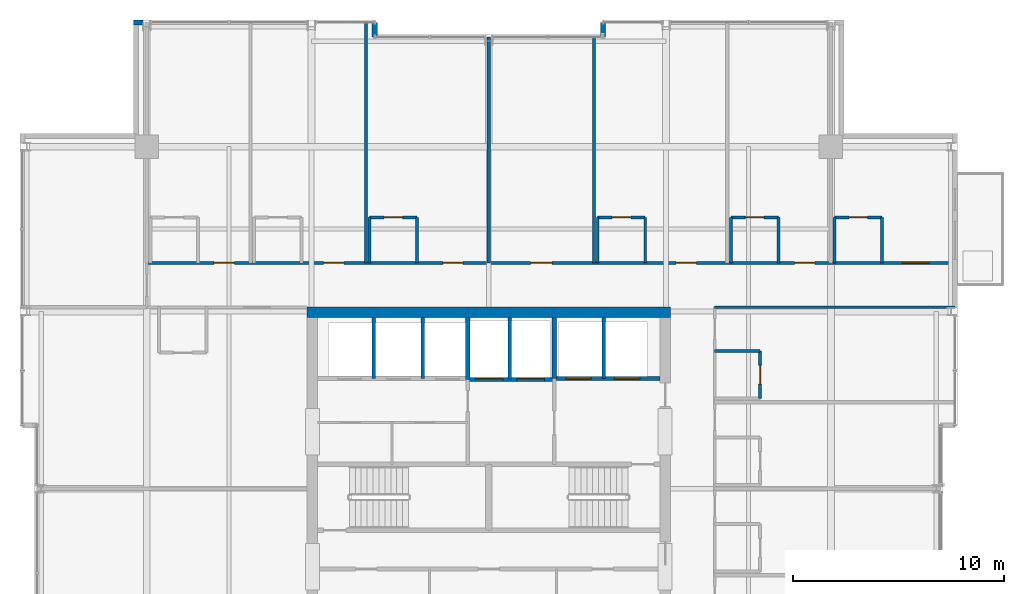
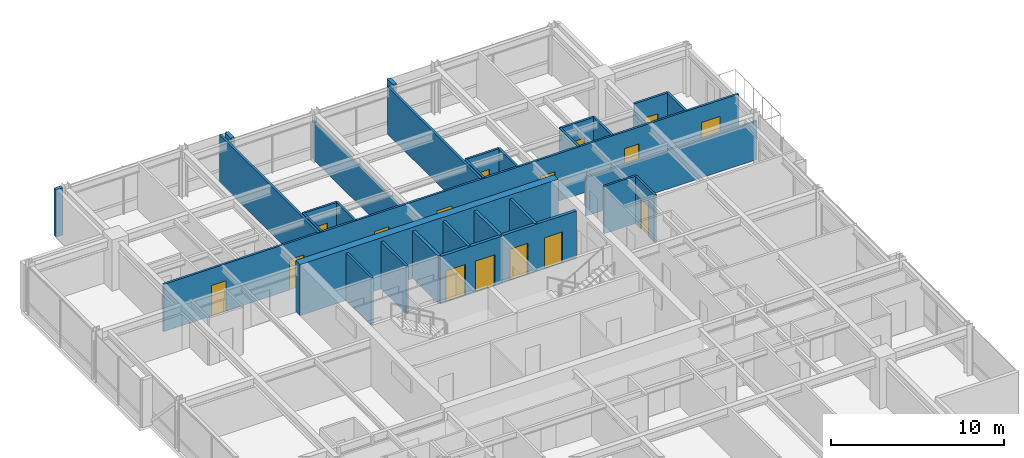
# One storey, part 29 of 33: 31 walls, 16 doors, 16 openings.
"""IFC4 building model written with IfcOpenShell, lengths in metres."""

from ifc_helpers import new_model, si_unit, direction, frame, frame_2d, origin, place, context, subcontext, project, spatial, rectangle, extrude, material, layer, layer_set, type_object, element, fill, save


model = new_model("IFC4")

# Units and contexts
model_context = context("Model", 3, precision=1e-05, world=origin(), true_north=direction((0.0, 1.0)))
body_context = subcontext(model_context, "Body", "Model", "MODEL_VIEW")
ifc_project = project(units=[si_unit("LENGTHUNIT", "METRE"), si_unit("AREAUNIT", "SQUARE_METRE"), si_unit("VOLUMEUNIT", "CUBIC_METRE"), si_unit("PLANEANGLEUNIT", "RADIAN"), si_unit("MASSUNIT", "GRAM", prefix="KILO")], contexts=[model_context])

# Site, building, storey
site_placement = place(None, origin())
site = spatial("IfcSite", under=ifc_project, at=site_placement, CompositionType="ELEMENT")
building_placement = place(site_placement, origin())
building = spatial("IfcBuilding", under=site, at=building_placement, Name="Drelvath Grand Hotel", CompositionType="ELEMENT")
storey_placement = place(building_placement, frame((0.0, 0.0, 212.300048828125)))
storey = spatial("IfcBuildingStorey", under=building, at=storey_placement, Name="L55", CompositionType="ELEMENT", Elevation=212.300048828125)

# Wall, openings, doors
ifc_material_1 = material(Name="Concrete C40/50", Category="concrete")
ifc_layer_1 = layer(ifc_material_1, 0.199951171875)
ifc_layer_set_1 = layer_set([ifc_layer_1], Name="Concrete C40/50")
wall_type_1 = type_object("IfcWallType", Name="Core Hoistway Fire Wall 200", PredefinedType="SOLIDWALL", material=ifc_layer_set_1)
wall_1_placement = place(storey_placement, frame((3.10009765625, 32.219970703125, 0.0), z_axis=(0.0, 0.0, 1.0), x_axis=(1.0, 0.0, 0.0)))
wall_1 = element("IfcWall", 1, at=wall_1_placement, inside=storey, type_object=wall_type_1, Name="L55 FSAE Hoistway Front Wall", PredefinedType="SOLIDWALL", context=body_context, shape_type="SweptSolid", body=[
    extrude(rectangle(XDim=5.0, YDim=0.199951171875, at=frame_2d((2.5, 0.0))), origin(), (0.0, 0.0, 1.0), 3.33984375),
])
opening_1_placement = place(wall_1_placement, frame((0.550048828125, 0.0, 0.0)))
opening_1 = element("IfcOpeningElement", 2, at=opening_1_placement, cuts=wall_1, Name="Opening LD-FSAE-1", PredefinedType="OPENING", context=body_context, shape_type="SweptSolid", body=[
    extrude(rectangle(XDim=1.199951171875, YDim=2.199951171875, at=frame_2d((0.60009765625, 1.10009765625))), frame((0.0, 0.10986328125, 0.0), z_axis=(0.0, -1.0, 0.0), x_axis=(1.0, 0.0, 0.0)), (0.0, 0.0, 1.0), 0.219970703125),
])
opening_2_placement = place(wall_1_placement, frame((2.85009765625, 0.0, 0.0)))
opening_2 = element("IfcOpeningElement", 3, at=opening_2_placement, cuts=wall_1, Name="Opening LD-FSAE-2", PredefinedType="OPENING", context=body_context, shape_type="SweptSolid", body=[
    extrude(rectangle(XDim=1.199951171875, YDim=2.199951171875, at=frame_2d((0.60009765625, 1.10009765625))), frame((0.0, 0.10986328125, 0.0), z_axis=(0.0, -1.0, 0.0), x_axis=(1.0, 0.0, 0.0)), (0.0, 0.0, 1.0), 0.219970703125),
])
ifc_material_2 = material(Name="Stainless Steel S355", Category="steel")
door_type_1 = type_object("IfcDoorType", Name="FSAE Lift Sliding Landing Door 1200x2200", OperationType="NOTDEFINED", PredefinedType="DOOR", material=ifc_material_2)
door_1_placement = place(opening_1_placement, origin())
door_1 = element("IfcDoor", 4, at=door_1_placement, inside=storey, type_object=door_type_1, Name="L55 Lift FSAE-1 Landing Door", OperationType="SLIDING_TO_LEFT", OverallHeight=2.199951171875, OverallWidth=1.199951171875, PredefinedType="DOOR", context=body_context, shape_type="SweptSolid", body=[
    extrude(rectangle(XDim=1.199951171875, YDim=2.199951171875, at=frame_2d((0.60009765625, 1.10009765625))), frame((0.0, 0.02490234375, 0.0), z_axis=(0.0, -1.0, 0.0), x_axis=(1.0, 0.0, 0.0)), (0.0, 0.0, 1.0), 0.050048828125),
])
fill(opening_1, door_1)
door_2_placement = place(opening_2_placement, origin())
door_2 = element("IfcDoor", 5, at=door_2_placement, inside=storey, type_object=door_type_1, Name="L55 Lift FSAE-2 Landing Door", OperationType="SLIDING_TO_LEFT", OverallHeight=2.199951171875, OverallWidth=1.199951171875, PredefinedType="DOOR", context=body_context, shape_type="SweptSolid", body=[
    extrude(rectangle(XDim=1.199951171875, YDim=2.199951171875, at=frame_2d((0.60009765625, 1.10009765625))), frame((0.0, 0.02490234375, 0.0), z_axis=(0.0, -1.0, 0.0), x_axis=(1.0, 0.0, 0.0)), (0.0, 0.0, 1.0), 0.050048828125),
])
fill(opening_2, door_2)

# Wall
wall_2_placement = place(storey_placement, frame((3.10009765625, 32.219970703125, 0.0), z_axis=(0.0, 0.0, 1.0), x_axis=(0.0, 1.0, 0.0)))
element("IfcWall", 6, at=wall_2_placement, inside=storey, type_object=wall_type_1, Name="L55 FSAE Hoistway West Wall", PredefinedType="SOLIDWALL", context=body_context, shape_type="SweptSolid", body=[
    extrude(rectangle(XDim=2.880126953125, YDim=0.199951171875, at=frame_2d((1.43994140625, 0.0))), origin(), (0.0, 0.0, 1.0), 3.33984375),
])

# Wall, openings, doors
wall_3_placement = place(storey_placement, frame((-1.0, 32.179931640625, 0.0), z_axis=(0.0, 0.0, 1.0), x_axis=(1.0, 0.0, 0.0)))
wall_3 = element("IfcWall", 7, at=wall_3_placement, inside=storey, type_object=wall_type_1, Name="L55 Service Lift Hoistway Wall", PredefinedType="SOLIDWALL", context=body_context, shape_type="SweptSolid", body=[
    extrude(rectangle(XDim=4.10009765625, YDim=0.199951171875, at=frame_2d((2.050048828125, 0.0))), origin(), (0.0, 0.0, 1.0), 3.33984375),
])
opening_3_placement = place(wall_3_placement, frame((0.3701171875, 0.0, 0.0)))
opening_3 = element("IfcOpeningElement", 8, at=opening_3_placement, cuts=wall_3, Name="Opening LD-SV-2", PredefinedType="OPENING", context=body_context, shape_type="SweptSolid", body=[
    extrude(rectangle(XDim=1.300048828125, YDim=2.199951171875, at=frame_2d((0.64990234375, 1.10009765625))), frame((0.0, 0.10986328125, 0.0), z_axis=(0.0, -1.0, 0.0), x_axis=(1.0, 0.0, 0.0)), (0.0, 0.0, 1.0), 0.219970703125),
])
opening_4_placement = place(wall_3_placement, frame((2.330078125, 0.0, 0.0)))
opening_4 = element("IfcOpeningElement", 9, at=opening_4_placement, cuts=wall_3, Name="Opening LD-SV-1", PredefinedType="OPENING", context=body_context, shape_type="SweptSolid", body=[
    extrude(rectangle(XDim=1.300048828125, YDim=2.199951171875, at=frame_2d((0.64990234375, 1.10009765625))), frame((0.0, 0.10986328125, 0.0), z_axis=(0.0, -1.0, 0.0), x_axis=(1.0, 0.0, 0.0)), (0.0, 0.0, 1.0), 0.219970703125),
])
door_type_2 = type_object("IfcDoorType", Name="Service Lift Sliding Landing Door 1300x2200", OperationType="NOTDEFINED", PredefinedType="DOOR", material=ifc_material_2)
door_3_placement = place(opening_3_placement, origin())
door_3 = element("IfcDoor", 10, at=door_3_placement, inside=storey, type_object=door_type_2, Name="L55 Lift SV-2 Landing Door", OperationType="SLIDING_TO_LEFT", OverallHeight=2.199951171875, OverallWidth=1.300048828125, PredefinedType="DOOR", context=body_context, shape_type="SweptSolid", body=[
    extrude(rectangle(XDim=1.300048828125, YDim=2.199951171875, at=frame_2d((0.64990234375, 1.10009765625))), frame((0.0, 0.02490234375, 0.0), z_axis=(0.0, -1.0, 0.0), x_axis=(1.0, 0.0, 0.0)), (0.0, 0.0, 1.0), 0.050048828125),
])
fill(opening_3, door_3)
door_4_placement = place(opening_4_placement, origin())
door_4 = element("IfcDoor", 11, at=door_4_placement, inside=storey, type_object=door_type_2, Name="L55 Lift SV-1 Landing Door", OperationType="SLIDING_TO_LEFT", OverallHeight=2.199951171875, OverallWidth=1.300048828125, PredefinedType="DOOR", context=body_context, shape_type="SweptSolid", body=[
    extrude(rectangle(XDim=1.300048828125, YDim=2.199951171875, at=frame_2d((0.64990234375, 1.10009765625))), frame((0.0, 0.02490234375, 0.0), z_axis=(0.0, -1.0, 0.0), x_axis=(1.0, 0.0, 0.0)), (0.0, 0.0, 1.0), 0.050048828125),
])
fill(opening_4, door_4)

# Walls
wall_4_placement = place(storey_placement, frame((-1.0, 32.179931640625, 0.0), z_axis=(0.0, 0.0, 1.0), x_axis=(0.0, 1.0, 0.0)))
element("IfcWall", 12, at=wall_4_placement, inside=storey, type_object=wall_type_1, Name="L55 Service Lift West Wall", PredefinedType="SOLIDWALL", context=body_context, shape_type="SweptSolid", body=[
    extrude(rectangle(XDim=2.920166015625, YDim=0.199951171875, at=frame_2d((1.4599609375, 0.0))), origin(), (0.0, 0.0, 1.0), 3.33984375),
])
ifc_material_3 = material(Name="Gypsum Fireboard Partition")
ifc_layer_2 = layer(ifc_material_3, 0.1650390625)
ifc_layer_set_2 = layer_set([ifc_layer_2], Name="Gypsum Fireboard Partition")
wall_type_2 = type_object("IfcWallType", Name="Core Shaft Partition 165", PredefinedType="PARTITIONING", material=ifc_layer_set_2)
wall_5_placement = place(storey_placement, frame((5.449951171875, 32.219970703125, 0.0), z_axis=(0.0, 0.0, 1.0), x_axis=(0.0, 1.0, 0.0)))
element("IfcWall", 13, at=wall_5_placement, inside=storey, type_object=wall_type_2, Name="L55 FSAE Hoistway Divider", PredefinedType="PARTITIONING", context=body_context, shape_type="SweptSolid", body=[
    extrude(rectangle(XDim=2.880126953125, YDim=0.1650390625, at=frame_2d((1.43994140625, 0.0))), origin(), (0.0, 0.0, 1.0), 3.33984375),
])
wall_6_placement = place(storey_placement, frame((1.0, 32.179931640625, 0.0), z_axis=(0.0, 0.0, 1.0), x_axis=(0.0, 1.0, 0.0)))
element("IfcWall", 14, at=wall_6_placement, inside=storey, type_object=wall_type_2, Name="L55 Service Lift Divider", PredefinedType="PARTITIONING", context=body_context, shape_type="SweptSolid", body=[
    extrude(rectangle(XDim=2.920166015625, YDim=0.1650390625, at=frame_2d((1.4599609375, 0.0))), origin(), (0.0, 0.0, 1.0), 3.33984375),
])
for number, where, z_axis, x_axis, name in (
    (15, (-5.43994140625, 32.219970703125, 0.0), (0.0, 0.0, 1.0), (0.0, 1.0, 0.0), "L55 Lift PE-7/8 Divider"),
    (16, (-3.1201171875, 32.219970703125, 0.0), (0.0, 0.0, 1.0), (0.0, 1.0, 0.0), "L55 Lift PE-8/9 Divider"),
):
    element("IfcWall", number, at=place(storey_placement, frame(where, z_axis=z_axis, x_axis=x_axis)), inside=storey, type_object=wall_type_2, Name=name, PredefinedType="PARTITIONING", context=body_context, shape_type="SweptSolid", body=[
        extrude(rectangle(XDim=2.880126953125, YDim=0.1650390625, at=frame_2d((1.43994140625, 0.0))), origin(), (0.0, 0.0, 1.0), 3.33984375),
    ])

# Wall, openings, doors
ifc_layer_3 = layer(ifc_material_3, 0.135009765625)
ifc_layer_set_3 = layer_set([ifc_layer_3], Name="Gypsum Fireboard Partition")
wall_type_3 = type_object("IfcWallType", Name="Corridor Fire Barrier Wall 135", PredefinedType="PARTITIONING", material=ifc_layer_set_3)
wall_7_placement = place(storey_placement, frame((-16.199951171875, 37.699951171875, 0.0), z_axis=(0.0, 0.0, 1.0), x_axis=(1.0, 0.0, 0.0)))
wall_7 = element("IfcWall", 17, at=wall_7_placement, inside=storey, type_object=wall_type_3, Name="L55 North Cross-Gallery Wall", PredefinedType="PARTITIONING", context=body_context, shape_type="SweptSolid", body=[
    extrude(rectangle(XDim=38.280029296875, YDim=0.135009765625, at=frame_2d((19.14013671875, 0.0))), origin(), (0.0, 0.0, 1.0), 3.33984375),
])
opening_5_placement = place(wall_7_placement, frame((35.784912109375, 0.0, 0.0)))
opening_5 = element("IfcOpeningElement", 18, at=opening_5_placement, cuts=wall_7, Name="Opening D-T4G1-024", PredefinedType="OPENING", context=body_context, shape_type="SweptSolid", body=[
    extrude(rectangle(XDim=1.260009765625, YDim=2.199951171875, at=frame_2d((0.6298828125, 1.10009765625))), frame((0.0, 0.077392578125, 0.0), z_axis=(0.0, -1.0, 0.0), x_axis=(1.0, 0.0, 0.0)), (0.0, 0.0, 1.0), 0.155029296875),
])
opening_6_placement = place(wall_7_placement, frame((3.189453125, 0.0, 0.0)))
opening_6 = element("IfcOpeningElement", 19, at=opening_6_placement, cuts=wall_7, Name="Opening D-T4G1-037", PredefinedType="OPENING", context=body_context, shape_type="SweptSolid", body=[
    extrude(rectangle(XDim=0.9599609375, YDim=2.14990234375, at=frame_2d((0.47998046875, 1.074951171875))), frame((0.0, 0.077392578125, 0.0), z_axis=(0.0, -1.0, 0.0), x_axis=(1.0, 0.0, 0.0)), (0.0, 0.0, 1.0), 0.155029296875),
])
opening_7_placement = place(wall_7_placement, frame((8.37939453125, 0.0, 0.0)))
opening_7 = element("IfcOpeningElement", 20, at=opening_7_placement, cuts=wall_7, Name="Opening D-T4G1-039", PredefinedType="OPENING", context=body_context, shape_type="SweptSolid", body=[
    extrude(rectangle(XDim=0.9599609375, YDim=2.14990234375, at=frame_2d((0.47998046875, 1.074951171875))), frame((0.0, 0.077392578125, 0.0), z_axis=(0.0, -1.0, 0.0), x_axis=(1.0, 0.0, 0.0)), (0.0, 0.0, 1.0), 0.155029296875),
])
opening_8_placement = place(wall_7_placement, frame((14.02490234375, 0.0, 0.0)))
opening_8 = element("IfcOpeningElement", 21, at=opening_8_placement, cuts=wall_7, Name="Opening D-T4G1-041", PredefinedType="OPENING", context=body_context, shape_type="SweptSolid", body=[
    extrude(rectangle(XDim=0.9599609375, YDim=2.14990234375, at=frame_2d((0.47998046875, 1.074951171875))), frame((0.0, 0.077392578125, 0.0), z_axis=(0.0, -1.0, 0.0), x_axis=(1.0, 0.0, 0.0)), (0.0, 0.0, 1.0), 0.155029296875),
])
opening_9_placement = place(wall_7_placement, frame((18.179931640625, 0.0, 0.0)))
opening_9 = element("IfcOpeningElement", 22, at=opening_9_placement, cuts=wall_7, Name="Opening D-T4G1-042", PredefinedType="OPENING", context=body_context, shape_type="SweptSolid", body=[
    extrude(rectangle(XDim=1.02001953125, YDim=2.14990234375, at=frame_2d((0.510009765625, 1.074951171875))), frame((0.0, 0.077392578125, 0.0), z_axis=(0.0, -1.0, 0.0), x_axis=(1.0, 0.0, 0.0)), (0.0, 0.0, 1.0), 0.155029296875),
])
opening_10_placement = place(wall_7_placement, frame((25.070556640625, 0.0, 0.0)))
opening_10 = element("IfcOpeningElement", 23, at=opening_10_placement, cuts=wall_7, Name="Opening D-T4G1-044", PredefinedType="OPENING", context=body_context, shape_type="SweptSolid", body=[
    extrude(rectangle(XDim=0.9599609375, YDim=2.14990234375, at=frame_2d((0.47998046875, 1.074951171875))), frame((0.0, 0.077392578125, 0.0), z_axis=(0.0, -1.0, 0.0), x_axis=(1.0, 0.0, 0.0)), (0.0, 0.0, 1.0), 0.155029296875),
])
opening_11_placement = place(wall_7_placement, frame((30.680419921875, 0.0, 0.0)))
opening_11 = element("IfcOpeningElement", 24, at=opening_11_placement, cuts=wall_7, Name="Opening D-T4G1-046", PredefinedType="OPENING", context=body_context, shape_type="SweptSolid", body=[
    extrude(rectangle(XDim=0.9599609375, YDim=2.14990234375, at=frame_2d((0.47998046875, 1.074951171875))), frame((0.0, 0.077392578125, 0.0), z_axis=(0.0, -1.0, 0.0), x_axis=(1.0, 0.0, 0.0)), (0.0, 0.0, 1.0), 0.155029296875),
])
ifc_material_4 = material(Name="Hardwood Walnut Timber", Category="wood")
door_type_3 = type_object("IfcDoorType", Name="Amenity Meeting Fire Door 1020x2150", OperationType="NOTDEFINED", PredefinedType="DOOR", material=ifc_material_4)
door_5_placement = place(opening_9_placement, origin())
door_5 = element("IfcDoor", 25, at=door_5_placement, inside=storey, type_object=door_type_3, Name="L55 Embassy Briefing Room Entry Door", OperationType="SINGLE_SWING_LEFT", OverallHeight=2.14990234375, OverallWidth=1.02001953125, PredefinedType="DOOR", context=body_context, shape_type="SweptSolid", body=[
    extrude(rectangle(XDim=1.02001953125, YDim=2.14990234375, at=frame_2d((0.510009765625, 1.074951171875))), frame((0.0, 0.02490234375, 0.0), z_axis=(0.0, -1.0, 0.0), x_axis=(1.0, 0.0, 0.0)), (0.0, 0.0, 1.0), 0.050048828125),
])
fill(opening_9, door_5)
door_type_4 = type_object("IfcDoorType", Name="Guestroom Entrance Fire Door 960x2150", OperationType="NOTDEFINED", PredefinedType="DOOR", material=ifc_material_4)
door_6_placement = place(opening_6_placement, origin())
door_6 = element("IfcDoor", 26, at=door_6_placement, inside=storey, type_object=door_type_4, Name="L55 Deluxe Guest Room Entry Door", OperationType="SINGLE_SWING_RIGHT", OverallHeight=2.14990234375, OverallWidth=0.9599609375, PredefinedType="DOOR", context=body_context, shape_type="SweptSolid", body=[
    extrude(rectangle(XDim=0.9599609375, YDim=2.14990234375, at=frame_2d((0.47998046875, 1.074951171875))), frame((0.0, 0.02490234375, 0.0), z_axis=(0.0, -1.0, 0.0), x_axis=(1.0, 0.0, 0.0)), (0.0, 0.0, 1.0), 0.050048828125),
])
fill(opening_6, door_6)
door_7_placement = place(opening_7_placement, origin())
door_7 = element("IfcDoor", 27, at=door_7_placement, inside=storey, type_object=door_type_4, Name="L55 Deluxe Guest Room Entry Door", OperationType="SINGLE_SWING_RIGHT", OverallHeight=2.14990234375, OverallWidth=0.9599609375, PredefinedType="DOOR", context=body_context, shape_type="SweptSolid", body=[
    extrude(rectangle(XDim=0.9599609375, YDim=2.14990234375, at=frame_2d((0.47998046875, 1.074951171875))), frame((0.0, 0.02490234375, 0.0), z_axis=(0.0, -1.0, 0.0), x_axis=(1.0, 0.0, 0.0)), (0.0, 0.0, 1.0), 0.050048828125),
])
fill(opening_7, door_7)
door_8_placement = place(opening_8_placement, origin())
door_8 = element("IfcDoor", 28, at=door_8_placement, inside=storey, type_object=door_type_4, Name="L55 Deluxe Guest Room Entry Door", OperationType="SINGLE_SWING_RIGHT", OverallHeight=2.14990234375, OverallWidth=0.9599609375, PredefinedType="DOOR", context=body_context, shape_type="SweptSolid", body=[
    extrude(rectangle(XDim=0.9599609375, YDim=2.14990234375, at=frame_2d((0.47998046875, 1.074951171875))), frame((0.0, 0.02490234375, 0.0), z_axis=(0.0, -1.0, 0.0), x_axis=(1.0, 0.0, 0.0)), (0.0, 0.0, 1.0), 0.050048828125),
])
fill(opening_8, door_8)
door_9_placement = place(opening_10_placement, origin())
door_9 = element("IfcDoor", 29, at=door_9_placement, inside=storey, type_object=door_type_4, Name="L55 Deluxe Guest Room Entry Door", OperationType="SINGLE_SWING_LEFT", OverallHeight=2.14990234375, OverallWidth=0.9599609375, PredefinedType="DOOR", context=body_context, shape_type="SweptSolid", body=[
    extrude(rectangle(XDim=0.9599609375, YDim=2.14990234375, at=frame_2d((0.47998046875, 1.074951171875))), frame((0.0, 0.02490234375, 0.0), z_axis=(0.0, -1.0, 0.0), x_axis=(1.0, 0.0, 0.0)), (0.0, 0.0, 1.0), 0.050048828125),
])
fill(opening_10, door_9)
door_10_placement = place(opening_11_placement, origin())
door_10 = element("IfcDoor", 30, at=door_10_placement, inside=storey, type_object=door_type_4, Name="L55 Deluxe Guest Room Entry Door", OperationType="SINGLE_SWING_LEFT", OverallHeight=2.14990234375, OverallWidth=0.9599609375, PredefinedType="DOOR", context=body_context, shape_type="SweptSolid", body=[
    extrude(rectangle(XDim=0.9599609375, YDim=2.14990234375, at=frame_2d((0.47998046875, 1.074951171875))), frame((0.0, 0.02490234375, 0.0), z_axis=(0.0, -1.0, 0.0), x_axis=(1.0, 0.0, 0.0)), (0.0, 0.0, 1.0), 0.050048828125),
])
fill(opening_11, door_10)
door_type_5 = type_object("IfcDoorType", Name="Suite Entrance Fire Door 1260x2200", OperationType="NOTDEFINED", PredefinedType="DOOR", material=ifc_material_4)
door_11_placement = place(opening_5_placement, origin())
door_11 = element("IfcDoor", 31, at=door_11_placement, inside=storey, type_object=door_type_5, Name="L55 Diplomatic Suite Entry Door", OperationType="SINGLE_SWING_LEFT", OverallHeight=2.199951171875, OverallWidth=1.260009765625, PredefinedType="DOOR", context=body_context, shape_type="SweptSolid", body=[
    extrude(rectangle(XDim=1.260009765625, YDim=2.199951171875, at=frame_2d((0.6298828125, 1.10009765625))), frame((0.0, 0.02490234375, 0.0), z_axis=(0.0, -1.0, 0.0), x_axis=(1.0, 0.0, 0.0)), (0.0, 0.0, 1.0), 0.050048828125),
])
fill(opening_5, door_11)

# Walls
wall_8_placement = place(storey_placement, frame((10.699951171875, 35.60009765625, 0.0), z_axis=(0.0, 0.0, 1.0), x_axis=(1.0, 0.0, 0.0)))
element("IfcWall", 32, at=wall_8_placement, inside=storey, type_object=wall_type_3, Name="L55 North Gallery Inner East Wall", PredefinedType="PARTITIONING", context=body_context, shape_type="SweptSolid", body=[
    extrude(rectangle(XDim=11.380126953125, YDim=0.135009765625, at=frame_2d((5.68994140625, 0.0))), origin(), (0.0, 0.0, 1.0), 2.71728515625),
])
ifc_material_5 = material(Name="Moisture-Resistant Gypsum Board")
ifc_layer_4 = layer(ifc_material_5, 0.139892578125)
ifc_layer_set_4 = layer_set([ifc_layer_4], Name="Moisture-Resistant Gypsum Board")
wall_type_4 = type_object("IfcWallType", Name="En-Suite Plumbing Wall 140", PredefinedType="PLUMBINGWALL", material=ifc_layer_set_4)
wall_9_placement = place(storey_placement, frame((16.3798828125, 37.699951171875, 0.0), z_axis=(0.0, 0.0, 1.0), x_axis=(0.0, 1.0, 0.0)))
element("IfcWall", 33, at=wall_9_placement, inside=storey, type_object=wall_type_4, Name="L55 En-Suite Left Wall", PredefinedType="PLUMBINGWALL", context=body_context, shape_type="SweptSolid", body=[
    extrude(rectangle(XDim=2.150146484375, YDim=0.139892578125, at=frame_2d((1.0751953125, 0.0))), origin(), (0.0, 0.0, 1.0), 2.7138671875),
])
wall_10_placement = place(storey_placement, frame((18.6298828125, 37.699951171875, 0.0), z_axis=(0.0, 0.0, 1.0), x_axis=(0.0, 1.0, 0.0)))
element("IfcWall", 34, at=wall_10_placement, inside=storey, type_object=wall_type_4, Name="L55 En-Suite Right Wall", PredefinedType="PLUMBINGWALL", context=body_context, shape_type="SweptSolid", body=[
    extrude(rectangle(XDim=2.150146484375, YDim=0.139892578125, at=frame_2d((1.0751953125, 0.0))), origin(), (0.0, 0.0, 1.0), 3.33984375),
])

# Wall, opening, door
wall_11_placement = place(storey_placement, frame((16.3798828125, 39.85009765625, 0.0), z_axis=(0.0, 0.0, 1.0), x_axis=(1.0, 0.0, 0.0)))
wall_11 = element("IfcWall", 35, at=wall_11_placement, inside=storey, type_object=wall_type_4, Name="L55 En-Suite Front Wall", PredefinedType="PLUMBINGWALL", context=body_context, shape_type="SweptSolid", body=[
    extrude(rectangle(XDim=2.25, YDim=0.139892578125, at=frame_2d((1.125, 0.0))), origin(), (0.0, 0.0, 1.0), 3.33984375),
])
opening_12_placement = place(wall_11_placement, frame((0.68505859375, 0.0, 0.0)))
opening_12 = element("IfcOpeningElement", 36, at=opening_12_placement, cuts=wall_11, Name="Opening D-T4G1-023", PredefinedType="OPENING", context=body_context, shape_type="SweptSolid", body=[
    extrude(rectangle(XDim=0.8798828125, YDim=2.10009765625, at=frame_2d((0.43994140625, 1.050048828125))), frame((0.0, 0.079833984375, 0.0), z_axis=(0.0, -1.0, 0.0), x_axis=(1.0, 0.0, 0.0)), (0.0, 0.0, 1.0), 0.159912109375),
])
door_type_6 = type_object("IfcDoorType", Name="En-Suite Bathroom Door 880x2100", OperationType="NOTDEFINED", PredefinedType="DOOR", material=ifc_material_4)
door_12_placement = place(opening_12_placement, origin())
door_12 = element("IfcDoor", 37, at=door_12_placement, inside=storey, type_object=door_type_6, Name="L55 En-Suite Bathroom Door", OperationType="SINGLE_SWING_RIGHT", OverallHeight=2.10009765625, OverallWidth=0.8798828125, PredefinedType="DOOR", context=body_context, shape_type="SweptSolid", body=[
    extrude(rectangle(XDim=0.8798828125, YDim=2.10009765625, at=frame_2d((0.43994140625, 1.050048828125))), frame((0.0, 0.02490234375, 0.0), z_axis=(0.0, -1.0, 0.0), x_axis=(1.0, 0.0, 0.0)), (0.0, 0.0, 1.0), 0.050048828125),
])
fill(opening_12, door_12)

# Walls
for number, where, z_axis, x_axis, name in (
    (38, (-5.639892578125, 37.699951171875, 0.0), (0.0, 0.0, 1.0), (0.0, 1.0, 0.0), "L55 En-Suite Left Wall"),
    (39, (-3.389892578125, 37.699951171875, 0.0), (0.0, 0.0, 1.0), (0.0, 1.0, 0.0), "L55 En-Suite Right Wall"),
):
    element("IfcWall", number, at=place(storey_placement, frame(where, z_axis=z_axis, x_axis=x_axis)), inside=storey, type_object=wall_type_4, Name=name, PredefinedType="PLUMBINGWALL", context=body_context, shape_type="SweptSolid", body=[
        extrude(rectangle(XDim=2.150146484375, YDim=0.139892578125, at=frame_2d((1.0751953125, 0.0))), origin(), (0.0, 0.0, 1.0), 3.33984375),
    ])

# Wall, opening, door
wall_12_placement = place(storey_placement, frame((-5.639892578125, 39.85009765625, 0.0), z_axis=(0.0, 0.0, 1.0), x_axis=(1.0, 0.0, 0.0)))
wall_12 = element("IfcWall", 40, at=wall_12_placement, inside=storey, type_object=wall_type_4, Name="L55 En-Suite Front Wall", PredefinedType="PLUMBINGWALL", context=body_context, shape_type="SweptSolid", body=[
    extrude(rectangle(XDim=2.25, YDim=0.139892578125, at=frame_2d((1.125, 0.0))), origin(), (0.0, 0.0, 1.0), 3.33984375),
])
opening_13_placement = place(wall_12_placement, frame((0.68505859375, 0.0, 0.0)))
opening_13 = element("IfcOpeningElement", 41, at=opening_13_placement, cuts=wall_12, Name="Opening D-T4G1-040", PredefinedType="OPENING", context=body_context, shape_type="SweptSolid", body=[
    extrude(rectangle(XDim=0.8798828125, YDim=2.10009765625, at=frame_2d((0.43994140625, 1.050048828125))), frame((0.0, 0.079833984375, 0.0), z_axis=(0.0, -1.0, 0.0), x_axis=(1.0, 0.0, 0.0)), (0.0, 0.0, 1.0), 0.159912109375),
])
door_13_placement = place(opening_13_placement, origin())
door_13 = element("IfcDoor", 42, at=door_13_placement, inside=storey, type_object=door_type_6, Name="L55 En-Suite Bathroom Door", OperationType="SINGLE_SWING_LEFT", OverallHeight=2.10009765625, OverallWidth=0.8798828125, PredefinedType="DOOR", context=body_context, shape_type="SweptSolid", body=[
    extrude(rectangle(XDim=0.8798828125, YDim=2.10009765625, at=frame_2d((0.43994140625, 1.050048828125))), frame((0.0, 0.02490234375, 0.0), z_axis=(0.0, -1.0, 0.0), x_axis=(1.0, 0.0, 0.0)), (0.0, 0.0, 1.0), 0.050048828125),
])
fill(opening_13, door_13)

# Walls
for number, where, z_axis, x_axis, name in (
    (43, (5.159912109375, 37.699951171875, 0.0), (0.0, 0.0, 1.0), (0.0, 1.0, 0.0), "L55 En-Suite Left Wall"),
    (44, (7.409912109375, 37.699951171875, 0.0), (0.0, 0.0, 1.0), (0.0, 1.0, 0.0), "L55 En-Suite Right Wall"),
):
    element("IfcWall", number, at=place(storey_placement, frame(where, z_axis=z_axis, x_axis=x_axis)), inside=storey, type_object=wall_type_4, Name=name, PredefinedType="PLUMBINGWALL", context=body_context, shape_type="SweptSolid", body=[
        extrude(rectangle(XDim=2.150146484375, YDim=0.139892578125, at=frame_2d((1.0751953125, 0.0))), origin(), (0.0, 0.0, 1.0), 3.33984375),
    ])

# Wall, opening, door
wall_13_placement = place(storey_placement, frame((5.159912109375, 39.85009765625, 0.0), z_axis=(0.0, 0.0, 1.0), x_axis=(1.0, 0.0, 0.0)))
wall_13 = element("IfcWall", 45, at=wall_13_placement, inside=storey, type_object=wall_type_4, Name="L55 En-Suite Front Wall", PredefinedType="PLUMBINGWALL", context=body_context, shape_type="SweptSolid", body=[
    extrude(rectangle(XDim=2.25, YDim=0.139892578125, at=frame_2d((1.125, 0.0))), origin(), (0.0, 0.0, 1.0), 3.33984375),
])
opening_14_placement = place(wall_13_placement, frame((0.68505859375, 0.0, 0.0)))
opening_14 = element("IfcOpeningElement", 46, at=opening_14_placement, cuts=wall_13, Name="Opening D-T4G1-043", PredefinedType="OPENING", context=body_context, shape_type="SweptSolid", body=[
    extrude(rectangle(XDim=0.8798828125, YDim=2.10009765625, at=frame_2d((0.43994140625, 1.050048828125))), frame((0.0, 0.079833984375, 0.0), z_axis=(0.0, -1.0, 0.0), x_axis=(1.0, 0.0, 0.0)), (0.0, 0.0, 1.0), 0.159912109375),
])
door_14_placement = place(opening_14_placement, origin())
door_14 = element("IfcDoor", 47, at=door_14_placement, inside=storey, type_object=door_type_6, Name="L55 En-Suite Bathroom Door", OperationType="SINGLE_SWING_RIGHT", OverallHeight=2.10009765625, OverallWidth=0.8798828125, PredefinedType="DOOR", context=body_context, shape_type="SweptSolid", body=[
    extrude(rectangle(XDim=0.8798828125, YDim=2.10009765625, at=frame_2d((0.43994140625, 1.050048828125))), frame((0.0, 0.02490234375, 0.0), z_axis=(0.0, -1.0, 0.0), x_axis=(1.0, 0.0, 0.0)), (0.0, 0.0, 1.0), 0.050048828125),
])
fill(opening_14, door_14)

# Walls
for number, where, z_axis, x_axis, name in (
    (48, (11.470947265625, 37.699951171875, 0.0), (0.0, 0.0, 1.0), (0.0, 1.0, 0.0), "L55 En-Suite Left Wall"),
    (49, (13.720947265625, 37.699951171875, 0.0), (0.0, 0.0, 1.0), (0.0, 1.0, 0.0), "L55 En-Suite Right Wall"),
):
    element("IfcWall", number, at=place(storey_placement, frame(where, z_axis=z_axis, x_axis=x_axis)), inside=storey, type_object=wall_type_4, Name=name, PredefinedType="PLUMBINGWALL", context=body_context, shape_type="SweptSolid", body=[
        extrude(rectangle(XDim=2.150146484375, YDim=0.139892578125, at=frame_2d((1.0751953125, 0.0))), origin(), (0.0, 0.0, 1.0), 3.33984375),
    ])

# Wall, opening, door
wall_14_placement = place(storey_placement, frame((11.470947265625, 39.85009765625, 0.0), z_axis=(0.0, 0.0, 1.0), x_axis=(1.0, 0.0, 0.0)))
wall_14 = element("IfcWall", 50, at=wall_14_placement, inside=storey, type_object=wall_type_4, Name="L55 En-Suite Front Wall", PredefinedType="PLUMBINGWALL", context=body_context, shape_type="SweptSolid", body=[
    extrude(rectangle(XDim=2.25, YDim=0.139892578125, at=frame_2d((1.125, 0.0))), origin(), (0.0, 0.0, 1.0), 3.33984375),
])
opening_15_placement = place(wall_14_placement, frame((0.68505859375, 0.0, 0.0)))
opening_15 = element("IfcOpeningElement", 51, at=opening_15_placement, cuts=wall_14, Name="Opening D-T4G1-045", PredefinedType="OPENING", context=body_context, shape_type="SweptSolid", body=[
    extrude(rectangle(XDim=0.8798828125, YDim=2.10009765625, at=frame_2d((0.43994140625, 1.050048828125))), frame((0.0, 0.079833984375, 0.0), z_axis=(0.0, -1.0, 0.0), x_axis=(1.0, 0.0, 0.0)), (0.0, 0.0, 1.0), 0.159912109375),
])
door_15_placement = place(opening_15_placement, origin())
door_15 = element("IfcDoor", 52, at=door_15_placement, inside=storey, type_object=door_type_6, Name="L55 En-Suite Bathroom Door", OperationType="SINGLE_SWING_RIGHT", OverallHeight=2.10009765625, OverallWidth=0.8798828125, PredefinedType="DOOR", context=body_context, shape_type="SweptSolid", body=[
    extrude(rectangle(XDim=0.8798828125, YDim=2.10009765625, at=frame_2d((0.43994140625, 1.050048828125))), frame((0.0, 0.02490234375, 0.0), z_axis=(0.0, -1.0, 0.0), x_axis=(1.0, 0.0, 0.0)), (0.0, 0.0, 1.0), 0.050048828125),
])
fill(opening_15, door_15)

# Wall
wall_15_placement = place(storey_placement, frame((10.699951171875, 33.525146484375, 0.0), z_axis=(0.0, 0.0, 1.0), x_axis=(1.0, 0.0, 0.0)))
element("IfcWall", 53, at=wall_15_placement, inside=storey, type_object=wall_type_4, Name="L55 En-Suite Right Wall", PredefinedType="PLUMBINGWALL", context=body_context, shape_type="SweptSolid", body=[
    extrude(rectangle(XDim=2.150146484375, YDim=0.139892578125, at=frame_2d((1.0751953125, 0.0))), origin(), (0.0, 0.0, 1.0), 3.33984375),
])

# Wall, opening, door
wall_16_placement = place(storey_placement, frame((12.85009765625, 31.275146484375, 0.0), z_axis=(0.0, 0.0, 1.0), x_axis=(0.0, 1.0, 0.0)))
wall_16 = element("IfcWall", 54, at=wall_16_placement, inside=storey, type_object=wall_type_4, Name="L55 En-Suite Front Wall", PredefinedType="PLUMBINGWALL", context=body_context, shape_type="SweptSolid", body=[
    extrude(rectangle(XDim=2.25, YDim=0.139892578125, at=frame_2d((1.125, 0.0))), origin(), (0.0, 0.0, 1.0), 3.33984375),
])
opening_16_placement = place(wall_16_placement, frame((0.68505859375, 0.0, 0.0)))
opening_16 = element("IfcOpeningElement", 55, at=opening_16_placement, cuts=wall_16, Name="Opening D-T4G1-053", PredefinedType="OPENING", context=body_context, shape_type="SweptSolid", body=[
    extrude(rectangle(XDim=0.8798828125, YDim=2.10009765625, at=frame_2d((0.43994140625, 1.050048828125))), frame((0.0, 0.079833984375, 0.0), z_axis=(0.0, -1.0, 0.0), x_axis=(1.0, 0.0, 0.0)), (0.0, 0.0, 1.0), 0.159912109375),
])
door_16_placement = place(opening_16_placement, origin())
door_16 = element("IfcDoor", 56, at=door_16_placement, inside=storey, type_object=door_type_6, Name="L55 En-Suite Bathroom Door", OperationType="SINGLE_SWING_RIGHT", OverallHeight=2.10009765625, OverallWidth=0.8798828125, PredefinedType="DOOR", context=body_context, shape_type="SweptSolid", body=[
    extrude(rectangle(XDim=0.8798828125, YDim=2.10009765625, at=frame_2d((0.43994140625, 1.050048828125))), frame((0.0, 0.02490234375, 0.0), z_axis=(0.0, -1.0, 0.0), x_axis=(1.0, 0.0, 0.0)), (0.0, 0.0, 1.0), 0.050048828125),
])
fill(opening_16, door_16)

# Walls
ifc_material_6 = material(Name="Gypsum Acoustic Partition")
ifc_layer_5 = layer(ifc_material_6, 0.14990234375)
ifc_layer_set_5 = layer_set([ifc_layer_5], Name="Gypsum Acoustic Partition")
wall_type_5 = type_object("IfcWallType", Name="Guestroom Demising Wall 150", PredefinedType="PARTITIONING", material=ifc_layer_set_5)
wall_17_placement = place(storey_placement, frame((-5.820068359375, 37.699951171875, 0.0), z_axis=(0.0, 0.0, 1.0), x_axis=(0.0, 1.0, 0.0)))
element("IfcWall", 57, at=wall_17_placement, inside=storey, type_object=wall_type_5, Name="L55 North Demising 2", PredefinedType="PARTITIONING", context=body_context, shape_type="SweptSolid", body=[
    extrude(rectangle(XDim=11.380126953125, YDim=0.14990234375, at=frame_2d((5.68994140625, 0.0))), origin(), (0.0, 0.0, 1.0), 3.33984375),
])
wall_18_placement = place(storey_placement, frame((0.0, 37.699951171875, 0.0), z_axis=(0.0, 0.0, 1.0), x_axis=(0.0, 1.0, 0.0)))
element("IfcWall", 58, at=wall_18_placement, inside=storey, type_object=wall_type_5, Name="L55 North Demising 3", PredefinedType="PARTITIONING", context=body_context, shape_type="SweptSolid", body=[
    extrude(rectangle(XDim=10.699951171875, YDim=0.14990234375, at=frame_2d((5.35009765625, 0.0))), origin(), (0.0, 0.0, 1.0), 2.71728515625),
])
wall_19_placement = place(storey_placement, frame((4.97998046875, 37.699951171875, 0.0), z_axis=(0.0, 0.0, 1.0), x_axis=(0.0, 1.0, 0.0)))
element("IfcWall", 59, at=wall_19_placement, inside=storey, type_object=wall_type_5, Name="L55 North Demising 4", PredefinedType="PARTITIONING", context=body_context, shape_type="SweptSolid", body=[
    extrude(rectangle(XDim=10.699951171875, YDim=0.14990234375, at=frame_2d((5.35009765625, 0.0))), origin(), (0.0, 0.0, 1.0), 3.33984375),
])
ifc_material_7 = material(Name="Pale-Metal Insulated Aluminium Spandrel Assembly", Category="aluminium")
ifc_layer_6 = layer(ifc_material_7, 0.239990234375)
ifc_layer_set_6 = layer_set([ifc_layer_6], Name="Pale-Metal Insulated Aluminium Spandrel Assembly")
wall_type_6 = type_object("IfcWallType", Name="Tower Insulated Metal Spandrel Closure Wall 240", PredefinedType="STANDARD", material=ifc_layer_set_6)
wall_20_placement = place(storey_placement, frame((-16.820068359375, 49.080078125, 0.0), z_axis=(0.0, 0.0, 1.0), x_axis=(1.0, 0.0, 0.0)))
element("IfcWall", 60, at=wall_20_placement, inside=storey, type_object=wall_type_6, Name="L55 Corner Pier Spandrel Wall NW1", PredefinedType="STANDARD", context=body_context, shape_type="SweptSolid", body=[
    extrude(rectangle(XDim=0.434814453125, YDim=0.239990234375, at=frame_2d((0.21728515625, 0.0))), origin(), (0.0, 0.0, 1.0), 3.33984375),
])
for number, where, z_axis, x_axis, name in (
    (61, (-5.39990234375, 49.080078125, 0.0), (0.0, 0.0, 1.0), (0.0, -1.0, 0.0), "L55 Notched Corner Return Spandrel Wall RN1"),
    (62, (5.39990234375, 48.39990234375, 0.0), (0.0, 0.0, 1.0), (0.0, 1.0, 0.0), "L55 Notched Corner Return Spandrel Wall RN2"),
):
    element("IfcWall", number, at=place(storey_placement, frame(where, z_axis=z_axis, x_axis=x_axis)), inside=storey, type_object=wall_type_6, Name=name, PredefinedType="STANDARD", context=body_context, shape_type="SweptSolid", body=[
        extrude(rectangle(XDim=0.68017578125, YDim=0.239990234375, at=frame_2d((0.340087890625, 0.0))), origin(), (0.0, 0.0, 1.0), 3.33984375),
    ])
ifc_material_8 = material(Name="Concrete f'c 55 MPa", Category="concrete")
ifc_layer_7 = layer(ifc_material_8, 0.5)
ifc_layer_set_7 = layer_set([ifc_layer_7], Name="Concrete f'c 55 MPa")
wall_type_7 = type_object("IfcWallType", Name="Upper Core RC Shear Wall 500", PredefinedType="SHEAR", material=ifc_layer_set_7)
wall_21_placement = place(storey_placement, frame((-8.60009765625, 35.35009765625, 0.0), z_axis=(0.0, 0.0, 1.0), x_axis=(1.0, 0.0, 0.0)))
element("IfcWall", 63, at=wall_21_placement, inside=storey, type_object=wall_type_7, Name="L55 Central Core Shear Wall N", PredefinedType="SHEAR", context=body_context, shape_type="SweptSolid", body=[
    extrude(rectangle(XDim=17.2001953125, YDim=0.5, at=frame_2d((8.60009765625, 0.0))), origin(), (0.0, 0.0, 1.0), 3.599853515625),
])

save(model, "model.ifc")
